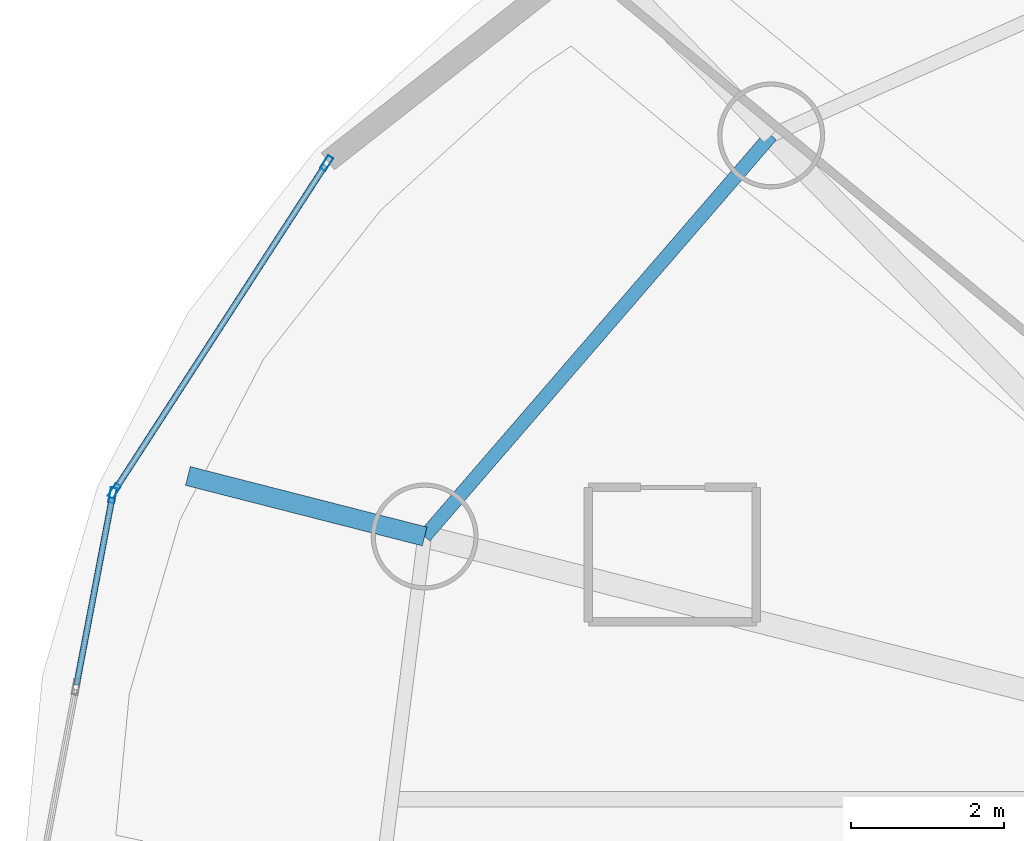
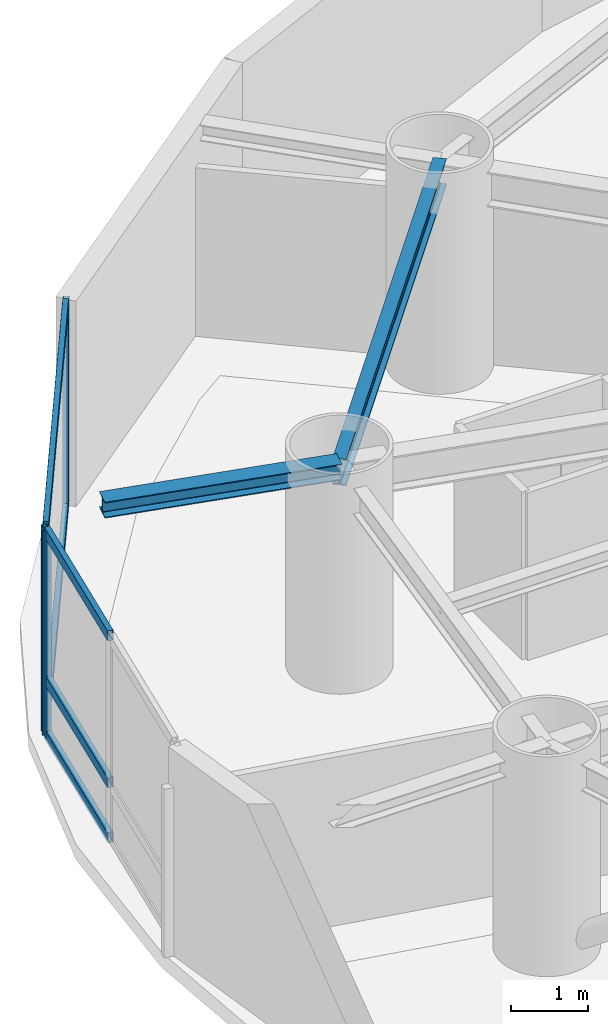
# One storey, part 10 of 22: 8 members, 2 beams, 2 elements without a shape of their own.
"""IFC4 building model written with IfcOpenShell, lengths in metres."""

import ifcopenshell
import ifcopenshell.guid

model = None  # the IFC model being written
_history = None  # IfcOwnerHistory: only IFC2X3 demands one
_inside = {}  # id of a spatial element -> (the spatial element, [elements in it])
_under = {}  # id of a project, library or spatial element -> (it, [spatial elements below it])
_declared = {}  # id of a project -> (the project, [libraries it declares])
_typed = {}  # id of a type object -> (the type object, [elements of that type])
_made_of = {}  # id of a material, layer set ... -> (it, [elements and type objects made of it])


def new_model(schema):
    """Start an empty IFC model of exactly this schema.

    Asked for "IFC4X3", IfcOpenShell would pick the latest addendum, in which some entities
    have other attributes; the version numbers below select the first issue.
    IFC2X3 requires an IfcOwnerHistory on every rooted entity: one is made here for all.
    """
    global model, _history
    if schema == "IFC4X3":
        model = ifcopenshell.file(schema_version=(4, 3, 0, 0))
    else:
        model = ifcopenshell.file(schema=schema)
    _inside.clear()
    _under.clear()
    _declared.clear()
    _typed.clear()
    _made_of.clear()
    _history = None
    if model.schema == "IFC2X3":
        org = make("IfcOrganization", Name="unknown")
        user = make(
            "IfcPersonAndOrganization",
            ThePerson=make("IfcPerson", FamilyName="unknown"),
            TheOrganization=org,
        )
        app = make(
            "IfcApplication",
            ApplicationDeveloper=org,
            Version="unknown",
            ApplicationFullName="unknown",
            ApplicationIdentifier="unknown",
        )
        _history = make(
            "IfcOwnerHistory",
            OwningUser=user,
            OwningApplication=app,
            ChangeAction="ADDED",
            CreationDate=0,
        )
    return model


def make(cls, **values):
    """One entity of the class cls with the attributes given. An attribute that is None is left unset."""
    return model.create_entity(
        cls, **{name: value for name, value in values.items() if value is not None}
    )


def rooted(cls, **values):
    """An entity with a GlobalId (a new one), such as an element, a storey or a relation."""
    return make(cls, GlobalId=ifcopenshell.guid.new(), OwnerHistory=_history, **values)


def si_unit(unit_type, name, prefix=None):
    """IfcSIUnit, for example si_unit("LENGTHUNIT", "METRE", prefix="MILLI")."""
    return make("IfcSIUnit", UnitType=unit_type, Prefix=prefix, Name=name)


def assignment(units):
    """IfcUnitAssignment: the units of a project."""
    return None if units is None else make("IfcUnitAssignment", Units=units)


def point(xyz):
    """IfcCartesianPoint."""
    return None if xyz is None else make("IfcCartesianPoint", Coordinates=xyz)


def direction(xyz):
    """IfcDirection."""
    return None if xyz is None else make("IfcDirection", DirectionRatios=xyz)


def frame(location, z_axis=None, x_axis=None):
    """IfcAxis2Placement3D, a coordinate frame: its origin and axes. An axis left out is left unset."""
    return make(
        "IfcAxis2Placement3D",
        Location=point(location),
        Axis=direction(z_axis),
        RefDirection=direction(x_axis),
    )


def frame_2d(location, x_axis=None):
    """IfcAxis2Placement2D, a coordinate frame in the plane: its origin and x axis."""
    return make(
        "IfcAxis2Placement2D", Location=point(location), RefDirection=direction(x_axis)
    )


def origin():
    """The frame at (0, 0, 0) with its axes left unset."""
    return frame((0.0, 0.0, 0.0))


def origin_2d():
    """The frame at (0, 0) in the plane with its x axis left unset."""
    return frame_2d((0.0, 0.0))


def place(relative_to, where):
    """IfcLocalPlacement: puts the frame where relative to a parent placement (None: the world)."""
    return make(
        "IfcLocalPlacement", PlacementRelTo=relative_to, RelativePlacement=where
    )


def context(
    kind, dimensions, precision=None, world=None, true_north=None, identifier=None
):
    """IfcGeometricRepresentationContext, for example the 3D "Model" context."""
    return make(
        "IfcGeometricRepresentationContext",
        ContextIdentifier=identifier,
        ContextType=kind,
        CoordinateSpaceDimension=dimensions,
        Precision=precision,
        WorldCoordinateSystem=world,
        TrueNorth=true_north,
    )


def subcontext(parent, identifier, kind, view, scale=None):
    """IfcGeometricRepresentationSubContext, for example "Body" below "Model"."""
    return make(
        "IfcGeometricRepresentationSubContext",
        ContextIdentifier=identifier,
        ContextType=kind,
        ParentContext=parent,
        TargetScale=scale,
        TargetView=view,
    )


def project(units=None, contexts=None):
    """IfcProject with its units and contexts."""
    return rooted(
        "IfcProject",
        Name="project",
        RepresentationContexts=contexts,
        UnitsInContext=assignment(units),
    )


def spatial(cls, under=None, at=None, **own):
    """A site, building, storey or space (cls), placed at a placement, below another one or the project."""
    s = rooted(cls, ObjectPlacement=at, **own)
    if under is not None:
        _under.setdefault(under.id(), (under, []))[1].append(s)
    return s


def profile(cls, at=None, kind="AREA", **sizes):
    """A parametric profile (cls). Its sizes go by their IFC names, for example OverallWidth=200.0."""
    return make(cls, ProfileType=kind, Position=at, **sizes)


def hollow_rectangle(**sizes):
    """IfcRectangleHollowProfileDef."""
    return profile("IfcRectangleHollowProfileDef", **sizes)


def i_section(**sizes):
    """IfcIShapeProfileDef."""
    return profile("IfcIShapeProfileDef", **sizes)


def extrude(swept, where, along, depth):
    """IfcExtrudedAreaSolid: the profile swept, set in the frame where, extruded along a direction by depth."""
    return make(
        "IfcExtrudedAreaSolid",
        SweptArea=swept,
        Position=where,
        ExtrudedDirection=direction(along),
        Depth=depth,
    )


def shape(context_of_items, identifier, shape_type, items):
    """IfcShapeRepresentation: the items that make up one representation, for example the "Body"."""
    return make(
        "IfcShapeRepresentation",
        ContextOfItems=context_of_items,
        RepresentationIdentifier=identifier,
        RepresentationType=shape_type,
        Items=items,
    )


def material(Name=None, Category=None):
    """IfcMaterial."""
    return make("IfcMaterial", Name=Name, Category=Category)


def layer(
    of_material, thickness, ventilated=None, Name=None, Category=None, Priority=None
):
    """IfcMaterialLayer: one layer of a wall or slab, of a material (None: an air gap)."""
    return make(
        "IfcMaterialLayer",
        Material=of_material,
        LayerThickness=thickness,
        IsVentilated=ventilated,
        Name=Name,
        Category=Category,
        Priority=Priority,
    )


def layer_set(layers, Name=None):
    """IfcMaterialLayerSet."""
    return make("IfcMaterialLayerSet", MaterialLayers=layers, LayerSetName=Name)


def material_profile(
    of_material, cross_section, Name=None, Category=None, Priority=None
):
    """IfcMaterialProfile: a cross section and its material."""
    return make(
        "IfcMaterialProfile",
        Name=Name,
        Material=of_material,
        Profile=cross_section,
        Priority=Priority,
        Category=Category,
    )


def profile_set(profiles, Name=None, composite=None):
    """IfcMaterialProfileSet."""
    return make(
        "IfcMaterialProfileSet",
        Name=Name,
        MaterialProfiles=profiles,
        CompositeProfile=composite,
    )


def made_of(thing, what):
    """Note that an element or type object is made of a material, layer set ...; save() writes the relation."""
    if what is not None:
        _made_of.setdefault(what.id(), (what, []))[1].append(thing)
    return thing


def type_object(cls, material=None, **own):
    """A type object (cls), such as IfcWallType, which elements share."""
    return made_of(rooted(cls, **own), material)


def element(
    cls,
    number,
    at=None,
    inside=None,
    cuts=None,
    type_object=None,
    material=None,
    context=None,
    identifier="Body",
    shape_type=None,
    held_by="IfcProductDefinitionShape",
    body=None,
    shapes=None,
    **own,
):
    """One element of the class cls, such as IfcWall. Its Tag is "e" and its number.

    at: its placement. inside: the storey or other place that contains it. cuts: it is an
    opening in that element (IfcRelVoidsElement). A single representation is given by context,
    identifier, shape_type and body (its items); several are given by shapes. held_by: the class
    of the entity that holds the representations. save() writes the other relations.
    """
    e = rooted(cls, Tag="e%d" % number, ObjectPlacement=at, **own)
    if body is not None:
        shapes = [shape(context, identifier, shape_type, body)]
    if shapes is not None:
        e.Representation = make(held_by, Representations=shapes)
    if inside is not None:
        _inside.setdefault(inside.id(), (inside, []))[1].append(e)
    if cuts is not None:
        rooted(
            "IfcRelVoidsElement", RelatingBuildingElement=cuts, RelatedOpeningElement=e
        )
    if type_object is not None:
        _typed.setdefault(type_object.id(), (type_object, []))[1].append(e)
    return made_of(e, material)


def aggregate(whole, parts):
    """IfcRelAggregates: a whole, such as a stair, and the parts it consists of."""
    return rooted("IfcRelAggregates", RelatingObject=whole, RelatedObjects=parts)


def save(model, path):
    """Write the relations noted so far, then the file.

    IfcRelAggregates (storeys below a building ...), IfcRelContainedInSpatialStructure (elements
    in a storey), IfcRelDefinesByType, IfcRelAssociatesMaterial and IfcRelDeclares: one each for
    every whole, place, type object, material and project.
    """
    for whole, parts in _under.values():
        aggregate(whole, parts)
    for where, things in _inside.values():
        rooted(
            "IfcRelContainedInSpatialStructure",
            RelatedElements=things,
            RelatingStructure=where,
        )
    for kind, things in _typed.values():
        rooted("IfcRelDefinesByType", RelatedObjects=things, RelatingType=kind)
    for what, things in _made_of.values():
        rooted("IfcRelAssociatesMaterial", RelatedObjects=things, RelatingMaterial=what)
    for by, libraries in _declared.values():
        rooted("IfcRelDeclares", RelatingContext=by, RelatedDefinitions=libraries)
    model.write(path)


model = new_model("IFC4")

# Units and contexts
model_context = context("Model", 3, precision=1e-05, world=origin(), true_north=direction((0.0, 1.0)))
body_context = subcontext(model_context, "Body", "Model", "MODEL_VIEW")
ifc_project = project(units=[si_unit("LENGTHUNIT", "METRE"), si_unit("AREAUNIT", "SQUARE_METRE"), si_unit("VOLUMEUNIT", "CUBIC_METRE"), si_unit("PLANEANGLEUNIT", "RADIAN"), si_unit("MASSUNIT", "GRAM", prefix="KILO")], contexts=[model_context])

# Site, building, storey
site_placement = place(None, origin())
site = spatial("IfcSite", under=ifc_project, at=site_placement, CompositionType="ELEMENT")
building_placement = place(site_placement, origin())
building = spatial("IfcBuilding", under=site, at=building_placement, Name="Bramvorn Convention Spire", CompositionType="ELEMENT")
storey_placement = place(building_placement, frame((0.0, 0.0, 120.300048828125)))
storey = spatial("IfcBuildingStorey", under=building, at=storey_placement, Name="L29", CompositionType="ELEMENT", Elevation=120.300048828125)

# Beams
ifc_material_1 = material(Name="Steel CSA G40.21 Grade 350 (350W)", Category="steel")
ifc_material_profile_1 = material_profile(ifc_material_1, i_section(OverallWidth=0.25390625, OverallDepth=0.2529296875, WebThickness=0.008544921875, FlangeThickness=0.01416015625, FilletRadius=0.011962890625, at=origin_2d()))
ifc_profile_set_1 = profile_set([ifc_material_profile_1], Name="Steel CSA G40.21 Grade 350 (350W) - W250X73")
beam_type_1 = type_object("IfcBeamType", Name="BM-W250X73", PredefinedType="BEAM", material=ifc_profile_set_1)
beam_1_placement = place(storey_placement, frame((13.88232421875, 36.73779296875, 3.133544921875), z_axis=(-0.968868276357, 0.24757678217, 0.0), x_axis=(-0.24757678217, -0.968868276357, 0.0)))
element("IfcBeam", 1, at=beam_1_placement, inside=storey, type_object=beam_type_1, Name="L29 slab-edge cantilever tip beam MC09", PredefinedType="BEAM", context=body_context, shape_type="SweptSolid", body=[
    extrude(i_section(OverallWidth=0.25390625, OverallDepth=0.2529296875, WebThickness=0.008544921875, FlangeThickness=0.01416015625, FilletRadius=0.011962890625, at=origin_2d()), origin(), (0.0, 0.0, 1.0), 3.199951171875),
])
ifc_material_profile_2 = material_profile(ifc_material_1, i_section(OverallWidth=0.180908203125, OverallDepth=0.4169921875, WebThickness=0.010986328125, FlangeThickness=0.018310546875, FilletRadius=0.01611328125, at=origin_2d()))
ifc_profile_set_2 = profile_set([ifc_material_profile_2], Name="Steel CSA G40.21 Grade 350 (350W) - W410X85")
beam_type_2 = type_object("IfcBeamType", Name="BM-W410X85", PredefinedType="JOIST", material=ifc_profile_set_2)
beam_2_placement = place(storey_placement, frame((18.420166015625, 41.9892578125, 3.051513671875), z_axis=(-0.653824993824, -0.756645807132, 0.0), x_axis=(0.756645807132, -0.653824993824, 0.0)))
element("IfcBeam", 2, at=beam_2_placement, inside=storey, type_object=beam_type_2, Name="L29 mega-column ring beam 08", PredefinedType="JOIST", context=body_context, shape_type="SweptSolid", body=[
    extrude(i_section(OverallWidth=0.180908203125, OverallDepth=0.4169921875, WebThickness=0.010986328125, FlangeThickness=0.018310546875, FilletRadius=0.01611328125, at=origin_2d()), origin(), (0.0, 0.0, 1.0), 6.9404296875),
])

# Curtain wall, members
ifc_material_2 = material(Name="Anodised Bronze Unitised Curtain Wall", Category="aluminium")
ifc_layer = layer(ifc_material_2, 0.179931640625)
ifc_layer_set = layer_set([ifc_layer], Name="Anodised Bronze Unitised Curtain Wall - CW-HTL-FRIT")
curtain_wall_type = type_object("IfcCurtainWallType", Name="CW-HTL-FRIT", PredefinedType="USERDEFINED", material=ifc_layer_set)
curtain_wall_1_placement = place(storey_placement, origin())
curtain_wall_1 = element("IfcCurtainWall", 3, at=curtain_wall_1_placement, inside=storey, type_object=curtain_wall_type, Name="L29 fritted glass curtain wall 12", ObjectType="UNITISED CURTAIN WALL", PredefinedType="USERDEFINED")
ifc_material_3 = material(Name="Anodised Bronze Aluminium 6063-T6", Category="aluminium")
ifc_material_profile_3 = material_profile(ifc_material_3, hollow_rectangle(XDim=0.080078125, YDim=0.199951171875, WallThickness=0.00390625, InnerFilletRadius=0.0009765625, OuterFilletRadius=0.00390625, at=origin_2d()))
ifc_profile_set_3 = profile_set([ifc_material_profile_3], Name="Anodised Bronze Aluminium 6063-T6 - CWM80X200")
member_type_1 = type_object("IfcMemberType", Name="CW-MUL-180", PredefinedType="MULLION", material=ifc_profile_set_3)
member_1_placement = place(storey_placement, frame((9.81884765625, 37.33203125, 0.0), z_axis=(0.0, 0.0, 1.0), x_axis=(-0.839347644063, 0.543595007709, 0.0)))
member_1 = element("IfcMember", 4, at=member_1_placement, type_object=member_type_1, Name="CW2 mullion 1", PredefinedType="MULLION", context=body_context, shape_type="SweptSolid", body=[
    extrude(hollow_rectangle(XDim=0.080078125, YDim=0.199951171875, WallThickness=0.00390625, InnerFilletRadius=0.0009765625, OuterFilletRadius=0.00390625, at=origin_2d()), origin(), (0.0, 0.0, 1.0), 3.260009765625),
])
member_2_placement = place(storey_placement, frame((12.598876953125, 41.62451171875, 0.0), z_axis=(0.0, 0.0, 1.0), x_axis=(-0.839347644063, 0.543595007709, 0.0)))
member_2 = element("IfcMember", 5, at=member_2_placement, type_object=member_type_1, Name="CW2 mullion 2", PredefinedType="MULLION", context=body_context, shape_type="SweptSolid", body=[
    extrude(hollow_rectangle(XDim=0.080078125, YDim=0.199951171875, WallThickness=0.00390625, InnerFilletRadius=0.0009765625, OuterFilletRadius=0.00390625, at=origin_2d()), origin(), (0.0, 0.0, 1.0), 3.260009765625),
])

# Curtain wall, member
curtain_wall_2_placement = place(storey_placement, origin())
curtain_wall_2 = element("IfcCurtainWall", 6, at=curtain_wall_2_placement, inside=storey, type_object=curtain_wall_type, Name="L29 fritted glass curtain wall 13", ObjectType="UNITISED CURTAIN WALL", PredefinedType="USERDEFINED")
member_3_placement = place(storey_placement, frame((9.796875, 37.27734375, 0.0), z_axis=(0.0, 0.0, 1.0), x_axis=(-0.982378633672, 0.186901632162, 0.0)))
member_3 = element("IfcMember", 7, at=member_3_placement, type_object=member_type_1, Name="CW2 mullion 3", PredefinedType="MULLION", context=body_context, shape_type="SweptSolid", body=[
    extrude(hollow_rectangle(XDim=0.080078125, YDim=0.199951171875, WallThickness=0.00390625, InnerFilletRadius=0.0009765625, OuterFilletRadius=0.00390625, at=origin_2d()), origin(), (0.0, 0.0, 1.0), 3.260009765625),
])

# Member
ifc_material_profile_4 = material_profile(ifc_material_3, hollow_rectangle(XDim=0.080078125, YDim=0.159912109375, WallThickness=0.00390625, InnerFilletRadius=0.0009765625, OuterFilletRadius=0.00390625, at=origin_2d()))
ifc_profile_set_4 = profile_set([ifc_material_profile_4], Name="Anodised Bronze Aluminium 6063-T6 - CWT80X160")
member_type_2 = type_object("IfcMemberType", Name="CW-TRN-150", PredefinedType="USERDEFINED", material=ifc_profile_set_4)
member_4_placement = place(storey_placement, frame((9.835205078125, 37.357177734375, 0.030029296875), z_axis=(0.543581716336, 0.839356251937, 0.0), x_axis=(-0.839356251937, 0.543581716336, 0.0)))
member_4 = element("IfcMember", 8, at=member_4_placement, type_object=member_type_2, Name="CW2 transom 1.1", ObjectType="TRANSOM", PredefinedType="USERDEFINED", context=body_context, shape_type="SweptSolid", body=[
    extrude(hollow_rectangle(XDim=0.080078125, YDim=0.159912109375, WallThickness=0.00390625, InnerFilletRadius=0.0009765625, OuterFilletRadius=0.00390625, at=origin_2d()), origin(), (0.0, 0.0, 1.0), 5.05419921875),
])

member_5_placement = place(storey_placement, frame((9.835205078125, 37.357177734375, 3.22998046875), z_axis=(0.543581716336, 0.839356251937, 0.0), x_axis=(-0.839356251937, 0.543581716336, 0.0)))
member_5 = element("IfcMember", 9, at=member_5_placement, type_object=member_type_2, Name="CW2 transom 1.2", ObjectType="TRANSOM", PredefinedType="USERDEFINED", context=body_context, shape_type="SweptSolid", body=[
    extrude(hollow_rectangle(XDim=0.080078125, YDim=0.159912109375, WallThickness=0.00390625, InnerFilletRadius=0.0009765625, OuterFilletRadius=0.00390625, at=origin_2d()), origin(), (0.0, 0.0, 1.0), 5.05419921875),
])

aggregate(curtain_wall_1, [member_1, member_2, member_4, member_5])

member_6_placement = place(storey_placement, frame((9.324462890625, 34.794677734375, 0.030029296875), z_axis=(0.186932399917, 0.982372779479, 0.0), x_axis=(-0.982372779479, 0.186932399917, 0.0)))
member_6 = element("IfcMember", 10, at=member_6_placement, type_object=member_type_2, Name="CW2 transom 2.1", ObjectType="TRANSOM", PredefinedType="USERDEFINED", context=body_context, shape_type="SweptSolid", body=[
    extrude(hollow_rectangle(XDim=0.080078125, YDim=0.159912109375, WallThickness=0.00390625, InnerFilletRadius=0.0009765625, OuterFilletRadius=0.00390625, at=origin_2d()), origin(), (0.0, 0.0, 1.0), 2.4970703125),
])

member_7_placement = place(storey_placement, frame((9.324462890625, 34.794677734375, 0.89990234375), z_axis=(0.186932399917, 0.982372779479, 0.0), x_axis=(-0.982372779479, 0.186932399917, 0.0)))
member_7 = element("IfcMember", 11, at=member_7_placement, type_object=member_type_2, Name="CW2 transom 2.2", ObjectType="TRANSOM", PredefinedType="USERDEFINED", context=body_context, shape_type="SweptSolid", body=[
    extrude(hollow_rectangle(XDim=0.080078125, YDim=0.159912109375, WallThickness=0.00390625, InnerFilletRadius=0.0009765625, OuterFilletRadius=0.00390625, at=origin_2d()), origin(), (0.0, 0.0, 1.0), 2.4970703125),
])

member_8_placement = place(storey_placement, frame((9.324462890625, 34.794677734375, 3.22998046875), z_axis=(0.186932399917, 0.982372779479, 0.0), x_axis=(-0.982372779479, 0.186932399917, 0.0)))
member_8 = element("IfcMember", 12, at=member_8_placement, type_object=member_type_2, Name="CW2 transom 2.3", ObjectType="TRANSOM", PredefinedType="USERDEFINED", context=body_context, shape_type="SweptSolid", body=[
    extrude(hollow_rectangle(XDim=0.080078125, YDim=0.159912109375, WallThickness=0.00390625, InnerFilletRadius=0.0009765625, OuterFilletRadius=0.00390625, at=origin_2d()), origin(), (0.0, 0.0, 1.0), 2.4970703125),
])

aggregate(curtain_wall_2, [member_3, member_6, member_7, member_8])

save(model, "model.ifc")
